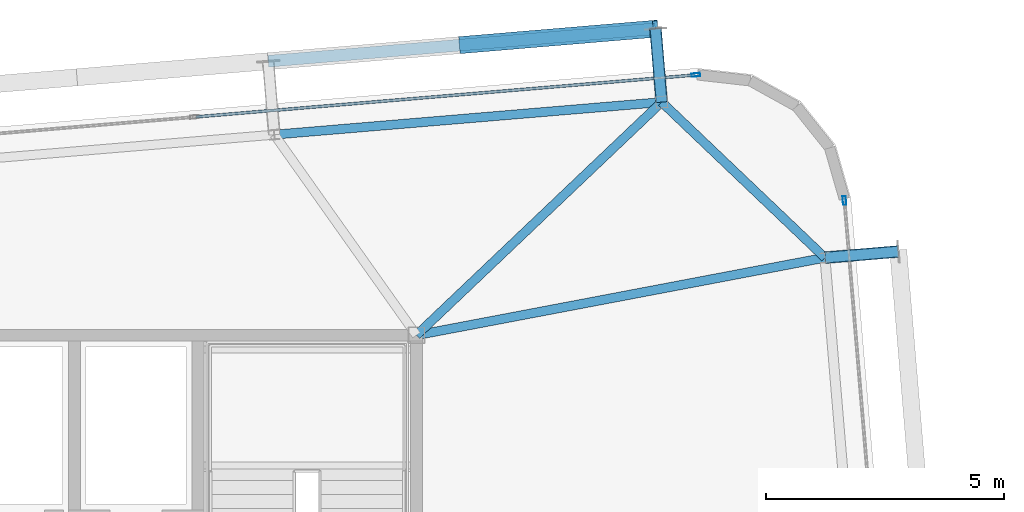
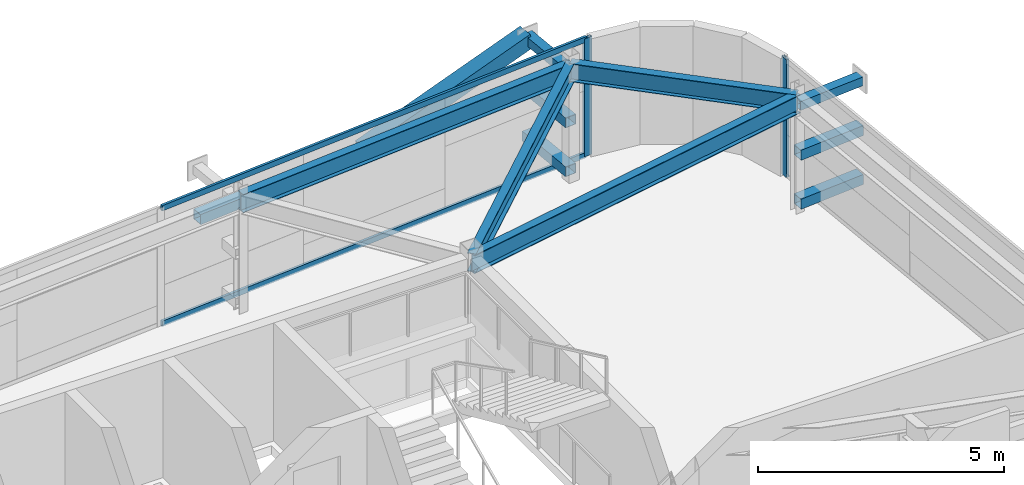
# One storey, part 25 of 37: 12 members, 4 beams, 2 elements without a shape of their own.
"""IFC4 building model written with IfcOpenShell, lengths in metres."""

from ifc_helpers import new_model, si_unit, direction, frame, origin, origin_2d, place, context, subcontext, project, spatial, hollow_rectangle, i_section, extrude, source, transform, mapped, material, layer, layer_set, material_profile, profile_set, type_object, element, aggregate, save


model = new_model("IFC4")

# Units and contexts
model_context = context("Model", 3, precision=1e-05, world=origin(), true_north=direction((0.0, 1.0)))
body_context = subcontext(model_context, "Body", "Model", "MODEL_VIEW")
ifc_project = project(units=[si_unit("LENGTHUNIT", "METRE"), si_unit("AREAUNIT", "SQUARE_METRE"), si_unit("VOLUMEUNIT", "CUBIC_METRE"), si_unit("PLANEANGLEUNIT", "RADIAN"), si_unit("MASSUNIT", "GRAM", prefix="KILO")], contexts=[model_context])

# Site, building, storey
site_placement = place(None, origin())
site = spatial("IfcSite", under=ifc_project, at=site_placement, CompositionType="ELEMENT")
building_placement = place(site_placement, origin())
building = spatial("IfcBuilding", under=site, at=building_placement, Name="Taldren Reach Tower", CompositionType="ELEMENT")
storey_placement = place(building_placement, frame((0.0, 0.0, 172.550048828125)))
storey = spatial("IfcBuildingStorey", under=building, at=storey_placement, Name="L52", CompositionType="ELEMENT", Elevation=172.550048828125)

# Members
ifc_material_1 = material(Name="Steel Gr 350 (C350L0)", Category="steel")
ifc_material_profile_1 = material_profile(ifc_material_1, hollow_rectangle(XDim=0.25, YDim=0.25, WallThickness=0.010009765625, at=origin_2d()), Name="250x250x10.0SHS")
ifc_profile_set_1 = profile_set([ifc_material_profile_1], Name="Steel Gr 350 (C350L0)")
member_type_1 = type_object("IfcMemberType", Name="MB-POST250", PredefinedType="POST", material=ifc_profile_set_1)
shared_shape_1 = source(origin(), body_context, "Body", "SweptSolid", [
    extrude(hollow_rectangle(XDim=0.25, YDim=0.25, WallThickness=0.010009765625, at=origin_2d()), origin(), (0.0, 0.0, 1.0), 1.5498046875),
])
for number, where, z_axis, x_axis, name in (
    (1, (56.160400390625, 36.906005859375, 0.219970703125), (-0.083645141657, 0.996495604746, 0.0), (-0.996495604746, -0.083645141657, 0.0), "Exoskeleton base diaphragm tie strut B4-N6 L52"),
    (2, (56.160400390625, 36.906005859375, 1.43505859375), (-0.083645141657, 0.996495604746, 0.0), (-0.996495604746, -0.083645141657, 0.0), "Exoskeleton mid-tier diaphragm tie B4-N6 L52"),
):
    element("IfcMember", number, at=place(storey_placement, frame(where, z_axis=z_axis, x_axis=x_axis)), inside=storey, type_object=member_type_1, Name=name, PredefinedType="POST", context=body_context, shape_type="MappedRepresentation", body=[
        mapped(shared_shape_1, transform((0.0, 0.0, 0.0), scale=1.0)),
    ])

# Beams
ifc_material_2 = material(Name="Steel Gr 350 (350PLUS)", Category="steel")
ifc_material_profile_2 = material_profile(ifc_material_2, i_section(OverallWidth=0.18994140625, OverallDepth=0.4541015625, WebThickness=0.008544921875, FlangeThickness=0.0126953125, at=origin_2d()), Name="460UB67.1")
ifc_profile_set_2 = profile_set([ifc_material_profile_2], Name="Steel Gr 350 (350PLUS)")
beam_type_1 = type_object("IfcBeamType", Name="SP-UB460B", PredefinedType="SPANDREL", material=ifc_profile_set_2)
shared_shape_2 = source(origin(), body_context, "Body", "SweptSolid", [
    extrude(i_section(OverallWidth=0.18994140625, OverallDepth=0.4541015625, WebThickness=0.008544921875, FlangeThickness=0.0126953125, at=origin_2d()), origin(), (0.0, 0.0, 1.0), 8.18017578125),
])
beam_1_placement = place(storey_placement, frame((56.160400390625, 36.906005859375, 2.702880859375), z_axis=(-0.996492034688, -0.083687662192, 0.0), x_axis=(0.083687662192, -0.996492034688, 0.0)))
element("IfcBeam", 3, at=beam_1_placement, inside=storey, type_object=beam_type_1, Name="Perimeter spandrel B4 N6-N5 L52", PredefinedType="SPANDREL", context=body_context, shape_type="MappedRepresentation", body=[
    mapped(shared_shape_2, transform((0.0, 0.0, 0.0), scale=1.0)),
])
shared_shape_3 = source(origin(), body_context, "Body", "SweptSolid", [
    extrude(i_section(OverallWidth=0.18994140625, OverallDepth=0.4541015625, WebThickness=0.008544921875, FlangeThickness=0.0126953125, at=origin_2d()), origin(), (0.0, 0.0, 1.0), 4.74609375),
])
beam_2_placement = place(storey_placement, frame((59.596435546875, 33.632080078125, 2.702880859375), z_axis=(-0.723978879349, 0.689822138132, 0.0), x_axis=(-0.689822138132, -0.723978879349, 0.0)))
element("IfcBeam", 4, at=beam_2_placement, inside=storey, type_object=beam_type_1, Name="Perimeter spandrel B4 E3-N6 L52", PredefinedType="SPANDREL", context=body_context, shape_type="MappedRepresentation", body=[
    mapped(shared_shape_3, transform((0.0, 0.0, 0.0), scale=1.0)),
])
ifc_material_profile_3 = material_profile(ifc_material_2, i_section(OverallWidth=0.19091796875, OverallDepth=0.4599609375, WebThickness=0.010009765625, FlangeThickness=0.01611328125, at=origin_2d()), Name="460UB82.1")
ifc_profile_set_3 = profile_set([ifc_material_profile_3], Name="Steel Gr 350 (350PLUS)")
beam_type_2 = type_object("IfcBeamType", Name="BM-UB460A", PredefinedType="BEAM", material=ifc_profile_set_3)
shared_shape_4 = source(origin(), body_context, "Body", "SweptSolid", [
    extrude(i_section(OverallWidth=0.19091796875, OverallDepth=0.4599609375, WebThickness=0.010009765625, FlangeThickness=0.01611328125, at=origin_2d()), origin(), (0.0, 0.0, 1.0), 8.75),
])
beam_3_placement = place(storey_placement, frame((51.0, 32.0, 2.699951171875), z_axis=(0.982450485799, 0.18652357211, 0.0), x_axis=(-0.18652357211, 0.982450485799, 0.0)))
element("IfcBeam", 5, at=beam_3_placement, inside=storey, type_object=beam_type_2, Name="Primary floor girder B4-E3 L52", PredefinedType="BEAM", context=body_context, shape_type="MappedRepresentation", body=[
    mapped(shared_shape_4, transform((0.0, 0.0, 0.0), scale=1.0)),
])
shared_shape_5 = source(origin(), body_context, "Body", "SweptSolid", [
    extrude(i_section(OverallWidth=0.19091796875, OverallDepth=0.4599609375, WebThickness=0.010009765625, FlangeThickness=0.01611328125, at=origin_2d()), origin(), (0.0, 0.0, 1.0), 7.120361328125),
])
beam_4_placement = place(storey_placement, frame((51.0, 32.0, 2.699951171875), z_axis=(0.724745130454, 0.689017050503, 0.0), x_axis=(-0.689017050503, 0.724745130454, 0.0)))
element("IfcBeam", 6, at=beam_4_placement, inside=storey, type_object=beam_type_2, Name="Primary floor girder B4-N6 L52", PredefinedType="BEAM", context=body_context, shape_type="MappedRepresentation", body=[
    mapped(shared_shape_5, transform((0.0, 0.0, 0.0), scale=1.0)),
])

# Members
ifc_material_3 = material(Name="Steel Gr 450 (C450L0)", Category="steel")
ifc_material_profile_4 = material_profile(ifc_material_3, hollow_rectangle(XDim=0.219970703125, YDim=0.219970703125, WallThickness=0.00830078125, at=origin_2d()), Name="220x220x8.2SHS")
ifc_profile_set_4 = profile_set([ifc_material_profile_4], Name="Steel Gr 450 (C450L0)")
member_type_2 = type_object("IfcMemberType", Name="MB-TIE219", PredefinedType="STRUT", material=ifc_profile_set_4)
shared_shape_6 = source(origin(), body_context, "Body", "SweptSolid", [
    extrude(hollow_rectangle(XDim=0.219970703125, YDim=0.219970703125, WallThickness=0.00830078125, at=origin_2d()), origin(), (0.0, 0.0, 1.0), 1.5498046875),
])
member_1_placement = place(storey_placement, frame((56.160400390625, 36.906005859375, 2.64990234375), z_axis=(-0.083645141657, 0.996495604746, 0.0), x_axis=(-0.996495604746, -0.083645141657, 0.0)))
element("IfcMember", 7, at=member_1_placement, inside=storey, type_object=member_type_2, Name="Exoskeleton diaphragm tie strut B4-N6 L52", PredefinedType="STRUT", context=body_context, shape_type="MappedRepresentation", body=[
    mapped(shared_shape_6, transform((0.0, 0.0, 0.0), scale=1.0)),
])
shared_shape_7 = source(origin(), body_context, "Body", "SweptSolid", [
    extrude(hollow_rectangle(XDim=0.219970703125, YDim=0.219970703125, WallThickness=0.00830078125, at=origin_2d()), origin(), (0.0, 0.0, 1.0), 1.545166015625),
])
member_2_placement = place(storey_placement, frame((59.60107421875, 33.63232421875, 2.64990234375), z_axis=(0.996487766615, 0.083738467783, 0.0), x_axis=(-0.083738467783, 0.996487766615, 0.0)))
element("IfcMember", 8, at=member_2_placement, inside=storey, type_object=member_type_2, Name="Exoskeleton diaphragm tie strut B4-E3 L52", PredefinedType="STRUT", context=body_context, shape_type="MappedRepresentation", body=[
    mapped(shared_shape_7, transform((0.0, 0.0, 0.0), scale=1.0)),
])
shared_shape_8 = source(origin(), body_context, "Body", "SweptSolid", [
    extrude(hollow_rectangle(XDim=0.25, YDim=0.25, WallThickness=0.010009765625, at=origin_2d()), origin(), (0.0, 0.0, 1.0), 8.179931640625),
])
member_3_placement = place(storey_placement, frame((47.87939453125, 37.76611328125, 1.43505859375), z_axis=(0.996494523218, 0.083658025296, 0.0), x_axis=(-0.083658025296, 0.996494523218, 0.0)))
element("IfcMember", 9, at=member_3_placement, inside=storey, type_object=member_type_1, Name="Exoskeleton mid-height ring chord B4-N5 L52", PredefinedType="POST", context=body_context, shape_type="MappedRepresentation", body=[
    mapped(shared_shape_8, transform((0.0, 0.0, 0.0), scale=1.0)),
])
shared_shape_9 = source(origin(), body_context, "Body", "SweptSolid", [
    extrude(hollow_rectangle(XDim=0.25, YDim=0.25, WallThickness=0.010009765625, at=origin_2d()), origin(), (0.0, 0.0, 1.0), 1.545166015625),
])
for number, where, z_axis, x_axis, name in (
    (10, (59.60107421875, 33.63232421875, 0.219970703125), (0.996487766615, 0.083738467783, 0.0), (-0.083738467783, 0.996487766615, 0.0), "Exoskeleton base diaphragm tie strut B4-E3 L52"),
    (11, (59.60107421875, 33.63232421875, 1.43505859375), (0.996487766615, 0.083738467783, 0.0), (-0.083738467783, 0.996487766615, 0.0), "Exoskeleton mid-tier diaphragm tie B4-E3 L52"),
):
    element("IfcMember", number, at=place(storey_placement, frame(where, z_axis=z_axis, x_axis=x_axis)), inside=storey, type_object=member_type_1, Name=name, PredefinedType="POST", context=body_context, shape_type="MappedRepresentation", body=[
        mapped(shared_shape_9, transform((0.0, 0.0, 0.0), scale=1.0)),
    ])
ifc_material_profile_5 = material_profile(ifc_material_3, hollow_rectangle(XDim=0.360107421875, YDim=0.360107421875, WallThickness=0.0126953125, at=origin_2d()), Name="360x360x12.7SHS")
ifc_profile_set_5 = profile_set([ifc_material_profile_5], Name="Steel Gr 450 (C450L0)")
member_type_3 = type_object("IfcMemberType", Name="MB-EXO356", PredefinedType="BRACE", material=ifc_profile_set_5)
shared_shape_10 = source(origin(), body_context, "Body", "SweptSolid", [
    extrude(hollow_rectangle(XDim=0.360107421875, YDim=0.360107421875, WallThickness=0.0126953125, at=origin_2d()), origin(), (0.0, 0.0, 1.0), 4.2666015625),
])
member_4_placement = place(storey_placement, frame((51.955078125, 38.1083984375, 1.43505859375), z_axis=(0.955249107127, 0.080166766448, 0.284732212595), x_axis=(-0.083628388178, 0.996497010879, 0.0)))
element("IfcMember", 12, at=member_4_placement, inside=storey, type_object=member_type_3, Name="Exoskeleton Diagrid Brace B4-N5 L52", PredefinedType="BRACE", context=body_context, shape_type="MappedRepresentation", body=[
    mapped(shared_shape_10, transform((0.0, 0.0, 0.0), scale=1.0)),
])

# Curtain wall, member
ifc_material_4 = material(Name="Aluminium and Low-E Glass Unitised System", Category="aluminium")
ifc_layer = layer(ifc_material_4, 0.159912109375)
ifc_layer_set = layer_set([ifc_layer], Name="Aluminium and Low-E Glass Unitised System")
curtain_wall_type = type_object("IfcCurtainWallType", Name="CW-SYS-5", PredefinedType="NOTDEFINED", material=ifc_layer_set)
curtain_wall_1_placement = place(storey_placement, origin())
curtain_wall_1 = element("IfcCurtainWall", 13, at=curtain_wall_1_placement, inside=storey, type_object=curtain_wall_type, Name="Unitised curtain wall CW-L52-N", PredefinedType="NOTDEFINED")
ifc_material_5 = material(Name="Anodised Aluminium 6063-T6", Category="aluminium")
ifc_material_profile_6 = material_profile(ifc_material_5, hollow_rectangle(XDim=0.070068359375, YDim=0.179931640625, WallThickness=0.00390625, at=origin_2d()), Name="ALU-180x70x4RHS")
ifc_profile_set_6 = profile_set([ifc_material_profile_6], Name="Anodised Aluminium 6063-T6")
member_type_4 = type_object("IfcMemberType", Name="CW-MUL-180", PredefinedType="MULLION", material=ifc_profile_set_6)
shared_shape_11 = source(origin(), body_context, "Body", "SweptSolid", [
    extrude(hollow_rectangle(XDim=0.070068359375, YDim=0.179931640625, WallThickness=0.00390625, at=origin_2d()), origin(), (0.0, 0.0, 1.0), 2.929931640625),
])
member_5_placement = place(storey_placement, frame((56.8798828125, 37.478271484375, 0.0), z_axis=(0.0, 0.0, 1.0), x_axis=(0.083677875247, -0.99649285657, 0.0)))
member_5 = element("IfcMember", 14, at=member_5_placement, type_object=member_type_4, Name="CW-5 mullion 1", PredefinedType="MULLION", context=body_context, shape_type="MappedRepresentation", body=[
    mapped(shared_shape_11, transform((0.0, 0.0, 0.0), scale=1.0)),
])

curtain_wall_2_placement = place(storey_placement, origin())
curtain_wall_2 = element("IfcCurtainWall", 15, at=curtain_wall_2_placement, inside=storey, type_object=curtain_wall_type, Name="Unitised curtain wall CW-L52-E", PredefinedType="NOTDEFINED")
member_6_placement = place(storey_placement, frame((60.007080078125, 34.835693359375, 0.0), z_axis=(0.0, 0.0, 1.0), x_axis=(-0.996492847789, -0.083677979808, 0.0)))
member_6 = element("IfcMember", 16, at=member_6_placement, type_object=member_type_4, Name="CW-5 mullion 3", PredefinedType="MULLION", context=body_context, shape_type="MappedRepresentation", body=[
    mapped(shared_shape_11, transform((0.0, 0.0, 0.0), scale=1.0)),
])
aggregate(curtain_wall_2, [member_6])

# Member
ifc_material_profile_7 = material_profile(ifc_material_5, hollow_rectangle(XDim=0.06005859375, YDim=0.135009765625, WallThickness=0.00341796875, at=origin_2d()), Name="ALU-135x60x3.5RHS")
ifc_profile_set_7 = profile_set([ifc_material_profile_7], Name="Anodised Aluminium 6063-T6")
member_type_5 = type_object("IfcMemberType", Name="CW-TRN-150", PredefinedType="USERDEFINED", material=ifc_profile_set_7)
shared_shape_12 = source(origin(), body_context, "Body", "SweptSolid", [
    extrude(hollow_rectangle(XDim=0.06005859375, YDim=0.135009765625, WallThickness=0.00341796875, at=origin_2d()), origin(), (0.0, 0.0, 1.0), 10.52001953125),
])
member_7_placement = place(storey_placement, frame((56.84521484375, 37.475341796875, 0.030029296875), z_axis=(-0.996492256575, -0.08368502008, 0.0), x_axis=(0.08368502008, -0.996492256575, 0.0)))
member_7 = element("IfcMember", 17, at=member_7_placement, type_object=member_type_5, Name="CW-5 transom 1.1", ObjectType="TRANSOM", PredefinedType="USERDEFINED", context=body_context, shape_type="MappedRepresentation", body=[
    mapped(shared_shape_12, transform((0.0, 0.0, 0.0), scale=1.0)),
])

member_8_placement = place(storey_placement, frame((56.84521484375, 37.475341796875, 2.89990234375), z_axis=(-0.996492256575, -0.08368502008, 0.0), x_axis=(0.08368502008, -0.996492256575, 0.0)))
member_8 = element("IfcMember", 18, at=member_8_placement, type_object=member_type_5, Name="CW-5 transom 1.2", ObjectType="TRANSOM", PredefinedType="USERDEFINED", context=body_context, shape_type="MappedRepresentation", body=[
    mapped(shared_shape_12, transform((0.0, 0.0, 0.0), scale=1.0)),
])

aggregate(curtain_wall_1, [member_5, member_7, member_8])

save(model, "model.ifc")
